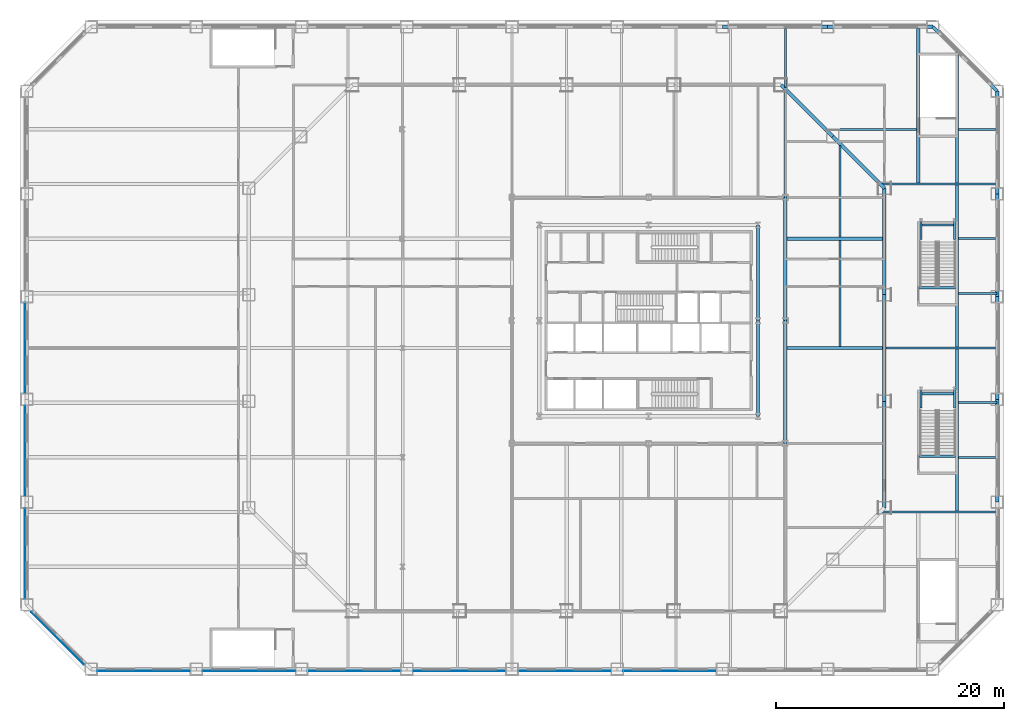
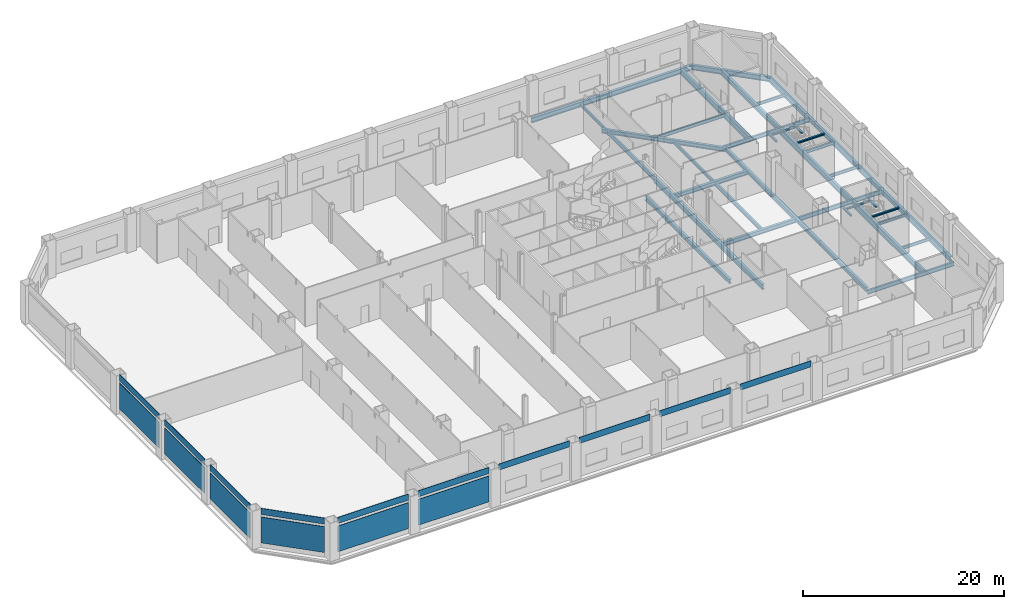
# One storey, part 7 of 22: 43 beams, 16 plates.
"""IFC4 building model written with IfcOpenShell, lengths in metres."""

from ifc_helpers import new_model, si_unit, direction, frame, origin, origin_2d, place, context, subcontext, project, spatial, rectangle, i_section, extrude, material, layer, layer_set, material_profile, profile_set, type_object, element, save


model = new_model("IFC4")

# Units and contexts
model_context = context("Model", 3, precision=1e-05, world=origin(), true_north=direction((0.0, 1.0)))
body_context = subcontext(model_context, "Body", "Model", "MODEL_VIEW")
ifc_project = project(units=[si_unit("LENGTHUNIT", "METRE"), si_unit("AREAUNIT", "SQUARE_METRE"), si_unit("VOLUMEUNIT", "CUBIC_METRE"), si_unit("PLANEANGLEUNIT", "RADIAN"), si_unit("MASSUNIT", "GRAM", prefix="KILO")], contexts=[model_context])

# Site, building, storey
site_placement = place(None, origin())
site = spatial("IfcSite", under=ifc_project, at=site_placement, CompositionType="ELEMENT")
building_placement = place(site_placement, origin())
building = spatial("IfcBuilding", under=site, at=building_placement, Name="Cairn Pilgrim Tower", CompositionType="ELEMENT")
storey_placement = place(building_placement, frame((0.0, 0.0, 35.39990234375)))
storey = spatial("IfcBuildingStorey", under=building, at=storey_placement, Name="L06", CompositionType="ELEMENT", Elevation=35.39990234375)

# Beams
ifc_material_1 = material(Name="Structural steel S355J2", Category="steel")
ifc_material_profile_1 = material_profile(ifc_material_1, i_section(OverallWidth=0.169921875, OverallDepth=0.360107421875, WebThickness=0.008056640625, FlangeThickness=0.0126953125, FilletRadius=0.01806640625, at=origin_2d()), Name="IPE 360")
ifc_profile_set_1 = profile_set([ifc_material_profile_1], Name="Structural steel S355J2")
beam_type_1 = type_object("IfcBeamType", Name="PODIUM BEAM IPE 360", PredefinedType="BEAM", material=ifc_profile_set_1)
beam_1_placement = place(storey_placement, frame((34.422119140625, -9.60009765625, -0.3798828125), z_axis=(1.0, 0.0, 0.0), x_axis=(0.0, 1.0, 0.0)))
element("IfcBeam", 1, at=beam_1_placement, inside=storey, type_object=beam_type_1, Name="PODIUM BEAM PB-IPE360", PredefinedType="BEAM", context=body_context, shape_type="SweptSolid", body=[
    extrude(i_section(OverallWidth=0.169921875, OverallDepth=0.360107421875, WebThickness=0.008056640625, FlangeThickness=0.0126953125, FilletRadius=0.01806640625, at=origin_2d()), origin(), (0.0, 0.0, 1.0), 3.225830078125),
])
for number, where, z_axis, x_axis, name in (
    (2, (34.422119140625, -4.800048828125, -0.3798828125), (1.0, 0.0, 0.0), (0.0, 1.0, 0.0), "PODIUM BEAM PB-IPE360"),
    (3, (34.422119140625, 4.800048828125, -0.3798828125), (1.0, 0.0, 0.0), (0.0, 1.0, 0.0), "PODIUM BEAM PB-IPE360"),
):
    element("IfcBeam", number, at=place(storey_placement, frame(where, z_axis=z_axis, x_axis=x_axis)), inside=storey, type_object=beam_type_1, Name=name, PredefinedType="BEAM", context=body_context, shape_type="SweptSolid", body=[
        extrude(i_section(OverallWidth=0.169921875, OverallDepth=0.360107421875, WebThickness=0.008056640625, FlangeThickness=0.0126953125, FilletRadius=0.01806640625, at=origin_2d()), origin(), (0.0, 0.0, 1.0), 3.3779296875),
    ])
for number, where, z_axis, x_axis, name in (
    (4, (34.422119140625, 9.60009765625, -0.3798828125), (1.0, 0.0, 0.0), (0.0, 1.0, 0.0), "PODIUM BEAM PB-IPE360"),
    (5, (34.422119140625, 19.199951171875, -0.3798828125), (1.0, 0.0, 0.0), (0.0, 1.0, 0.0), "PODIUM BEAM PB-IPE360"),
):
    element("IfcBeam", number, at=place(storey_placement, frame(where, z_axis=z_axis, x_axis=x_axis)), inside=storey, type_object=beam_type_1, Name=name, PredefinedType="BEAM", context=body_context, shape_type="SweptSolid", body=[
        extrude(i_section(OverallWidth=0.169921875, OverallDepth=0.360107421875, WebThickness=0.008056640625, FlangeThickness=0.0126953125, FilletRadius=0.01806640625, at=origin_2d()), origin(), (0.0, 0.0, 1.0), 3.225830078125),
    ])
beam_2_placement = place(storey_placement, frame((19.199951171875, 22.879150390625, -0.3798828125), z_axis=(0.0, 1.0, 0.0), x_axis=(-1.0, 0.0, 0.0)))
element("IfcBeam", 6, at=beam_2_placement, inside=storey, type_object=beam_type_1, Name="PODIUM BEAM PB-IPE360", PredefinedType="BEAM", context=body_context, shape_type="SweptSolid", body=[
    extrude(i_section(OverallWidth=0.169921875, OverallDepth=0.360107421875, WebThickness=0.008056640625, FlangeThickness=0.0126953125, FilletRadius=0.01806640625, at=origin_2d()), origin(), (0.0, 0.0, 1.0), 5.1689453125),
])
ifc_material_profile_2 = material_profile(ifc_material_1, i_section(OverallWidth=0.179931640625, OverallDepth=0.39990234375, WebThickness=0.008544921875, FlangeThickness=0.013427734375, FilletRadius=0.02099609375, at=origin_2d()), Name="IPE 400")
ifc_profile_set_2 = profile_set([ifc_material_profile_2], Name="Structural steel S355J2")
beam_type_2 = type_object("IfcBeamType", Name="PODIUM BEAM IPE 400", PredefinedType="BEAM", material=ifc_profile_set_2)
beam_3_placement = place(storey_placement, frame((24.0, 9.751953125, -0.39990234375), z_axis=(0.0, 1.0, 0.0), x_axis=(-1.0, 0.0, 0.0)))
element("IfcBeam", 7, at=beam_3_placement, inside=storey, type_object=beam_type_2, Name="PODIUM BEAM PB-IPE400", PredefinedType="BEAM", context=body_context, shape_type="SweptSolid", body=[
    extrude(i_section(OverallWidth=0.179931640625, OverallDepth=0.39990234375, WebThickness=0.008544921875, FlangeThickness=0.013427734375, FilletRadius=0.02099609375, at=origin_2d()), origin(), (0.0, 0.0, 1.0), 8.023193359375),
])
beam_4_placement = place(storey_placement, frame((22.879150390625, 19.199951171875, -0.39990234375), z_axis=(1.0, 0.0, 0.0), x_axis=(0.0, 1.0, 0.0)))
element("IfcBeam", 8, at=beam_4_placement, inside=storey, type_object=beam_type_2, Name="PODIUM BEAM PB-IPE400", PredefinedType="BEAM", context=body_context, shape_type="SweptSolid", body=[
    extrude(i_section(OverallWidth=0.179931640625, OverallDepth=0.39990234375, WebThickness=0.008544921875, FlangeThickness=0.013427734375, FilletRadius=0.02099609375, at=origin_2d()), origin(), (0.0, 0.0, 1.0), 7.848876953125),
])
ifc_material_profile_3 = material_profile(ifc_material_1, i_section(OverallWidth=0.199951171875, OverallDepth=0.5, WebThickness=0.01025390625, FlangeThickness=0.01611328125, FilletRadius=0.02099609375, at=origin_2d()), Name="IPE 500")
ifc_profile_set_3 = profile_set([ifc_material_profile_3], Name="Structural steel S355J2")
beam_type_3 = type_object("IfcBeamType", Name="PODIUM BEAM IPE 500", PredefinedType="BEAM", material=ifc_profile_set_3)
beam_5_placement = place(storey_placement, frame((19.199951171875, 13.199951171875, -0.449951171875), z_axis=(0.0, 1.0, 0.0), x_axis=(-1.0, 0.0, 0.0)))
element("IfcBeam", 9, at=beam_5_placement, inside=storey, type_object=beam_type_3, Name="PODIUM BEAM PB-IPE500", PredefinedType="BEAM", context=body_context, shape_type="SweptSolid", body=[
    extrude(i_section(OverallWidth=0.199951171875, OverallDepth=0.5, WebThickness=0.01025390625, FlangeThickness=0.01611328125, FilletRadius=0.02099609375, at=origin_2d()), origin(), (0.0, 0.0, 1.0), 9.375244140625),
])
beam_6_placement = place(storey_placement, frame((24.0, 0.152099609375, -0.449951171875), z_axis=(0.0, 1.0, 0.0), x_axis=(-1.0, 0.0, 0.0)))
element("IfcBeam", 10, at=beam_6_placement, inside=storey, type_object=beam_type_3, Name="PODIUM BEAM PB-IPE500", PredefinedType="BEAM", context=body_context, shape_type="SweptSolid", body=[
    extrude(i_section(OverallWidth=0.199951171875, OverallDepth=0.5, WebThickness=0.01025390625, FlangeThickness=0.01611328125, FilletRadius=0.02099609375, at=origin_2d()), origin(), (0.0, 0.0, 1.0), 9.2958984375),
])
beam_7_placement = place(storey_placement, frame((27.67919921875, -14.39990234375, -0.449951171875), z_axis=(1.0, 0.0, 0.0), x_axis=(0.0, 1.0, 0.0)))
element("IfcBeam", 11, at=beam_7_placement, inside=storey, type_object=beam_type_3, Name="PODIUM BEAM PB-IPE500", PredefinedType="BEAM", context=body_context, shape_type="SweptSolid", body=[
    extrude(i_section(OverallWidth=0.199951171875, OverallDepth=0.5, WebThickness=0.01025390625, FlangeThickness=0.01611328125, FilletRadius=0.02099609375, at=origin_2d()), origin(), (0.0, 0.0, 1.0), 9.96875),
])
beam_8_placement = place(storey_placement, frame((28.052001953125, 0.0, -0.449951171875), z_axis=(1.0, 0.0, 0.0), x_axis=(0.0, 1.0, 0.0)))
element("IfcBeam", 12, at=beam_8_placement, inside=storey, type_object=beam_type_3, Name="PODIUM BEAM PB-IPE500", PredefinedType="BEAM", context=body_context, shape_type="SweptSolid", body=[
    extrude(i_section(OverallWidth=0.199951171875, OverallDepth=0.5, WebThickness=0.01025390625, FlangeThickness=0.01611328125, FilletRadius=0.02099609375, at=origin_2d()), origin(), (0.0, 0.0, 1.0), 9.595947265625),
])
beam_9_placement = place(storey_placement, frame((27.67919921875, 14.39990234375, -0.449951171875), z_axis=(1.0, 0.0, 0.0), x_axis=(0.0, 1.0, 0.0)))
element("IfcBeam", 13, at=beam_9_placement, inside=storey, type_object=beam_type_3, Name="PODIUM BEAM PB-IPE500", PredefinedType="BEAM", context=body_context, shape_type="SweptSolid", body=[
    extrude(i_section(OverallWidth=0.199951171875, OverallDepth=0.5, WebThickness=0.01025390625, FlangeThickness=0.01611328125, FilletRadius=0.02099609375, at=origin_2d()), origin(), (0.0, 0.0, 1.0), 9.96875),
])
ifc_material_profile_4 = material_profile(ifc_material_1, i_section(OverallWidth=0.300048828125, OverallDepth=0.60009765625, WebThickness=0.015380859375, FlangeThickness=0.030029296875, FilletRadius=0.027099609375, at=origin_2d()), Name="HEB 600")
ifc_profile_set_4 = profile_set([ifc_material_profile_4], Name="Structural steel S355J2")
beam_type_4 = type_object("IfcBeamType", Name="PODIUM EDGE GIRDER HE 600 B", PredefinedType="BEAM", material=ifc_profile_set_4)
beam_10_placement = place(storey_placement, frame((37.800048828125, -13.531005859375, -0.5), z_axis=(0.0, 1.0, 0.0), x_axis=(-1.0, 0.0, 0.0)))
element("IfcBeam", 14, at=beam_10_placement, inside=storey, type_object=beam_type_4, Name="PODIUM EDGE GIRDER PE-HE600B", PredefinedType="BEAM", context=body_context, shape_type="SweptSolid", body=[
    extrude(i_section(OverallWidth=0.300048828125, OverallDepth=0.60009765625, WebThickness=0.015380859375, FlangeThickness=0.030029296875, FilletRadius=0.027099609375, at=origin_2d()), origin(), (0.0, 0.0, 1.0), 9.020751953125),
])
beam_11_placement = place(storey_placement, frame((37.800048828125, -4.51025390625, -0.5), z_axis=(0.0, 1.0, 0.0), x_axis=(-1.0, 0.0, 0.0)))
element("IfcBeam", 15, at=beam_11_placement, inside=storey, type_object=beam_type_4, Name="PODIUM EDGE GIRDER PE-HE600B", PredefinedType="BEAM", context=body_context, shape_type="SweptSolid", body=[
    extrude(i_section(OverallWidth=0.300048828125, OverallDepth=0.60009765625, WebThickness=0.015380859375, FlangeThickness=0.030029296875, FilletRadius=0.027099609375, at=origin_2d()), origin(), (0.0, 0.0, 1.0), 9.0205078125),
])
beam_12_placement = place(storey_placement, frame((37.800048828125, 4.51025390625, -0.5), z_axis=(0.0, 1.0, 0.0), x_axis=(-1.0, 0.0, 0.0)))
element("IfcBeam", 16, at=beam_12_placement, inside=storey, type_object=beam_type_4, Name="PODIUM EDGE GIRDER PE-HE600B", PredefinedType="BEAM", context=body_context, shape_type="SweptSolid", body=[
    extrude(i_section(OverallWidth=0.300048828125, OverallDepth=0.60009765625, WebThickness=0.015380859375, FlangeThickness=0.030029296875, FilletRadius=0.027099609375, at=origin_2d()), origin(), (0.0, 0.0, 1.0), 9.020751953125),
])
beam_13_placement = place(storey_placement, frame((37.800048828125, 13.531005859375, -0.5), z_axis=(0.0, 1.0, 0.0), x_axis=(-1.0, 0.0, 0.0)))
element("IfcBeam", 17, at=beam_13_placement, inside=storey, type_object=beam_type_4, Name="PODIUM EDGE GIRDER PE-HE600B", PredefinedType="BEAM", context=body_context, shape_type="SweptSolid", body=[
    extrude(i_section(OverallWidth=0.300048828125, OverallDepth=0.60009765625, WebThickness=0.015380859375, FlangeThickness=0.030029296875, FilletRadius=0.027099609375, at=origin_2d()), origin(), (0.0, 0.0, 1.0), 9.0205078125),
])
beam_14_placement = place(storey_placement, frame((37.800048828125, 22.551513671875, -0.5), z_axis=(-0.707106781187, 0.707106781187, 0.0), x_axis=(-0.707106781187, -0.707106781187, 0.0)))
element("IfcBeam", 18, at=beam_14_placement, inside=storey, type_object=beam_type_4, Name="PODIUM EDGE GIRDER PE-HE600B", PredefinedType="BEAM", context=body_context, shape_type="SweptSolid", body=[
    extrude(i_section(OverallWidth=0.300048828125, OverallDepth=0.60009765625, WebThickness=0.015380859375, FlangeThickness=0.030029296875, FilletRadius=0.027099609375, at=origin_2d()), origin(), (0.0, 0.0, 1.0), 7.988037109375),
])
beam_15_placement = place(storey_placement, frame((32.151611328125, 28.199951171875, -0.5), z_axis=(-1.0, 0.0, 0.0), x_axis=(0.0, -1.0, 0.0)))
element("IfcBeam", 19, at=beam_15_placement, inside=storey, type_object=beam_type_4, Name="PODIUM EDGE GIRDER PE-HE600B", PredefinedType="BEAM", context=body_context, shape_type="SweptSolid", body=[
    extrude(i_section(OverallWidth=0.300048828125, OverallDepth=0.60009765625, WebThickness=0.015380859375, FlangeThickness=0.030029296875, FilletRadius=0.027099609375, at=origin_2d()), origin(), (0.0, 0.0, 1.0), 9.238037109375),
])
beam_16_placement = place(storey_placement, frame((22.91357421875, 28.199951171875, -0.5), z_axis=(-1.0, 0.0, 0.0), x_axis=(0.0, -1.0, 0.0)))
element("IfcBeam", 20, at=beam_16_placement, inside=storey, type_object=beam_type_4, Name="PODIUM EDGE GIRDER PE-HE600B", PredefinedType="BEAM", context=body_context, shape_type="SweptSolid", body=[
    extrude(i_section(OverallWidth=0.300048828125, OverallDepth=0.60009765625, WebThickness=0.015380859375, FlangeThickness=0.030029296875, FilletRadius=0.027099609375, at=origin_2d()), origin(), (0.0, 0.0, 1.0), 9.23779296875),
])
ifc_material_profile_5 = material_profile(ifc_material_1, i_section(OverallWidth=0.300048828125, OverallDepth=0.5, WebThickness=0.014404296875, FlangeThickness=0.028076171875, FilletRadius=0.027099609375, at=origin_2d()), Name="HEB 500")
ifc_profile_set_5 = profile_set([ifc_material_profile_5], Name="Structural steel S355J2")
beam_type_5 = type_object("IfcBeamType", Name="PODIUM GIRDER HE 500 B", PredefinedType="BEAM", material=ifc_profile_set_5)
beam_17_placement = place(storey_placement, frame((27.89990234375, -14.027099609375, -0.449951171875), z_axis=(0.0, 1.0, 0.0), x_axis=(-1.0, 0.0, 0.0)))
element("IfcBeam", 21, at=beam_17_placement, inside=storey, type_object=beam_type_5, Name="PODIUM GIRDER PG-HE500B", PredefinedType="BEAM", context=body_context, shape_type="SweptSolid", body=[
    extrude(i_section(OverallWidth=0.300048828125, OverallDepth=0.5, WebThickness=0.014404296875, FlangeThickness=0.028076171875, FilletRadius=0.027099609375, at=origin_2d()), origin(), (0.0, 0.0, 1.0), 9.351318359375),
])
beam_18_placement = place(storey_placement, frame((27.89990234375, -4.67578125, -0.449951171875), z_axis=(0.0, 1.0, 0.0), x_axis=(-1.0, 0.0, 0.0)))
element("IfcBeam", 22, at=beam_18_placement, inside=storey, type_object=beam_type_5, Name="PODIUM GIRDER PG-HE500B", PredefinedType="BEAM", context=body_context, shape_type="SweptSolid", body=[
    extrude(i_section(OverallWidth=0.300048828125, OverallDepth=0.5, WebThickness=0.014404296875, FlangeThickness=0.028076171875, FilletRadius=0.027099609375, at=origin_2d()), origin(), (0.0, 0.0, 1.0), 9.3515625),
])
beam_19_placement = place(storey_placement, frame((27.89990234375, 4.67578125, -0.449951171875), z_axis=(0.0, 1.0, 0.0), x_axis=(-1.0, 0.0, 0.0)))
element("IfcBeam", 23, at=beam_19_placement, inside=storey, type_object=beam_type_5, Name="PODIUM GIRDER PG-HE500B", PredefinedType="BEAM", context=body_context, shape_type="SweptSolid", body=[
    extrude(i_section(OverallWidth=0.300048828125, OverallDepth=0.5, WebThickness=0.014404296875, FlangeThickness=0.028076171875, FilletRadius=0.027099609375, at=origin_2d()), origin(), (0.0, 0.0, 1.0), 9.351318359375),
])
for number, where, z_axis, x_axis, name in (
    (24, (27.89990234375, 14.027099609375, -0.449951171875), (-0.707087753759, 0.707125808102, 0.0), (-0.707125808102, -0.707087753759, 0.0), "PODIUM GIRDER PG-HE500B"),
    (25, (23.363525390625, 18.563720703125, -0.449951171875), (-0.707106781187, 0.707106781187, 0.0), (-0.707106781187, -0.707106781187, 0.0), "PODIUM GIRDER PG-HE500B"),
):
    element("IfcBeam", number, at=place(storey_placement, frame(where, z_axis=z_axis, x_axis=x_axis)), inside=storey, type_object=beam_type_5, Name=name, PredefinedType="BEAM", context=body_context, shape_type="SweptSolid", body=[
        extrude(i_section(OverallWidth=0.300048828125, OverallDepth=0.5, WebThickness=0.014404296875, FlangeThickness=0.028076171875, FilletRadius=0.027099609375, at=origin_2d()), origin(), (0.0, 0.0, 1.0), 6.41552734375),
    ])
beam_20_placement = place(storey_placement, frame((16.800048828125, -6.0, -0.449951171875), z_axis=(0.0, 1.0, 0.0), x_axis=(-1.0, 0.0, 0.0)))
element("IfcBeam", 26, at=beam_20_placement, inside=storey, type_object=beam_type_5, Name="PODIUM GIRDER PG-HE500B", PredefinedType="BEAM", context=body_context, shape_type="SweptSolid", body=[
    extrude(i_section(OverallWidth=0.300048828125, OverallDepth=0.5, WebThickness=0.014404296875, FlangeThickness=0.028076171875, FilletRadius=0.027099609375, at=origin_2d()), origin(), (0.0, 0.0, 1.0), 8.39990234375),
])
beam_21_placement = place(storey_placement, frame((16.800048828125, 2.39990234375, -0.449951171875), z_axis=(0.0, 1.0, 0.0), x_axis=(-1.0, 0.0, 0.0)))
element("IfcBeam", 27, at=beam_21_placement, inside=storey, type_object=beam_type_5, Name="PODIUM GIRDER PG-HE500B", PredefinedType="BEAM", context=body_context, shape_type="SweptSolid", body=[
    extrude(i_section(OverallWidth=0.300048828125, OverallDepth=0.5, WebThickness=0.014404296875, FlangeThickness=0.028076171875, FilletRadius=0.027099609375, at=origin_2d()), origin(), (0.0, 0.0, 1.0), 8.400146484375),
])
for number, where, z_axis, x_axis, name in (
    (28, (19.35205078125, 0.0, -0.449951171875), (1.0, 0.0, 0.0), (0.0, 1.0, 0.0), "PODIUM GIRDER PG-HE500B"),
    (29, (19.35205078125, 9.60009765625, -0.449951171875), (1.0, 0.0, 0.0), (0.0, 1.0, 0.0), "PODIUM GIRDER PG-HE500B"),
):
    element("IfcBeam", number, at=place(storey_placement, frame(where, z_axis=z_axis, x_axis=x_axis)), inside=storey, type_object=beam_type_5, Name=name, PredefinedType="BEAM", context=body_context, shape_type="SweptSolid", body=[
        extrude(i_section(OverallWidth=0.300048828125, OverallDepth=0.5, WebThickness=0.014404296875, FlangeThickness=0.028076171875, FilletRadius=0.027099609375, at=origin_2d()), origin(), (0.0, 0.0, 1.0), 8.39599609375),
    ])
ifc_material_profile_6 = material_profile(ifc_material_1, i_section(OverallWidth=0.300048828125, OverallDepth=0.60009765625, WebThickness=0.015380859375, FlangeThickness=0.030029296875, FilletRadius=0.027099609375, at=origin_2d()), Name="HEB 600")
ifc_profile_set_6 = profile_set([ifc_material_profile_6], Name="Structural steel S355J2")
beam_type_6 = type_object("IfcBeamType", Name="PODIUM GIRDER HE 600 B", PredefinedType="BEAM", material=ifc_profile_set_6)
beam_22_placement = place(storey_placement, frame((19.199951171875, -8.39990234375, -0.5), z_axis=(0.0, 1.0, 0.0), x_axis=(-1.0, 0.0, 0.0)))
element("IfcBeam", 30, at=beam_22_placement, inside=storey, type_object=beam_type_6, Name="PODIUM GIRDER PG-HE600B", PredefinedType="BEAM", context=body_context, shape_type="SweptSolid", body=[
    extrude(i_section(OverallWidth=0.300048828125, OverallDepth=0.60009765625, WebThickness=0.015380859375, FlangeThickness=0.030029296875, FilletRadius=0.027099609375, at=origin_2d()), origin(), (0.0, 0.0, 1.0), 10.7998046875),
])
beam_23_placement = place(storey_placement, frame((19.199951171875, 2.39990234375, -0.5), z_axis=(0.0, 1.0, 0.0), x_axis=(-1.0, 0.0, 0.0)))
element("IfcBeam", 31, at=beam_23_placement, inside=storey, type_object=beam_type_6, Name="PODIUM GIRDER PG-HE600B", PredefinedType="BEAM", context=body_context, shape_type="SweptSolid", body=[
    extrude(i_section(OverallWidth=0.300048828125, OverallDepth=0.60009765625, WebThickness=0.015380859375, FlangeThickness=0.030029296875, FilletRadius=0.027099609375, at=origin_2d()), origin(), (0.0, 0.0, 1.0), 10.800048828125),
])
beam_24_placement = place(storey_placement, frame((34.27001953125, 14.501953125, -0.5), z_axis=(0.0, 1.0, 0.0), x_axis=(-1.0, 0.0, 0.0)))
element("IfcBeam", 32, at=beam_24_placement, inside=storey, type_object=beam_type_6, Name="PODIUM GIRDER PG-HE600B", PredefinedType="BEAM", context=body_context, shape_type="SweptSolid", body=[
    extrude(i_section(OverallWidth=0.300048828125, OverallDepth=0.60009765625, WebThickness=0.015380859375, FlangeThickness=0.030029296875, FilletRadius=0.027099609375, at=origin_2d()), origin(), (0.0, 0.0, 1.0), 11.427490234375),
])
ifc_material_profile_7 = material_profile(ifc_material_1, i_section(OverallWidth=0.300048828125, OverallDepth=0.699951171875, WebThickness=0.01708984375, FlangeThickness=0.031982421875, FilletRadius=0.027099609375, at=origin_2d()), Name="HEB 700")
ifc_profile_set_7 = profile_set([ifc_material_profile_7], Name="Structural steel S355J2")
beam_type_7 = type_object("IfcBeamType", Name="PODIUM GIRDER HE 700 B", PredefinedType="BEAM", material=ifc_profile_set_7)
for number, where, z_axis, x_axis, name in (
    (33, (34.27001953125, -14.298095703125, -0.5498046875), (0.0, 1.0, 0.0), (-1.0, 0.0, 0.0), "PODIUM GIRDER PG-HE700B"),
    (34, (34.27001953125, 0.10205078125, -0.5498046875), (0.0, 1.0, 0.0), (-1.0, 0.0, 0.0), "PODIUM GIRDER PG-HE700B"),
):
    element("IfcBeam", number, at=place(storey_placement, frame(where, z_axis=z_axis, x_axis=x_axis)), inside=storey, type_object=beam_type_7, Name=name, PredefinedType="BEAM", context=body_context, shape_type="SweptSolid", body=[
        extrude(i_section(OverallWidth=0.300048828125, OverallDepth=0.699951171875, WebThickness=0.01708984375, FlangeThickness=0.031982421875, FilletRadius=0.027099609375, at=origin_2d()), origin(), (0.0, 0.0, 1.0), 14.196044921875),
    ])
beam_25_placement = place(storey_placement, frame((30.8798828125, 14.501953125, -0.5498046875), z_axis=(0.0, 1.0, 0.0), x_axis=(-1.0, 0.0, 0.0)))
element("IfcBeam", 35, at=beam_25_placement, inside=storey, type_object=beam_type_7, Name="PODIUM GIRDER PG-HE700B", PredefinedType="BEAM", context=body_context, shape_type="SweptSolid", body=[
    extrude(i_section(OverallWidth=0.300048828125, OverallDepth=0.699951171875, WebThickness=0.01708984375, FlangeThickness=0.031982421875, FilletRadius=0.027099609375, at=origin_2d()), origin(), (0.0, 0.0, 1.0), 13.546142578125),
])
ifc_material_profile_8 = material_profile(ifc_material_1, i_section(OverallWidth=0.199951171875, OverallDepth=0.199951171875, WebThickness=0.009033203125, FlangeThickness=0.014892578125, FilletRadius=0.01806640625, at=origin_2d()), Name="HE 200 B")
ifc_profile_set_8 = profile_set([ifc_material_profile_8], Name="Structural steel S355J2")
beam_type_8 = type_object("IfcBeamType", Name="STAIR LANDING BEAM HE 200 B", PredefinedType="BEAM", material=ifc_profile_set_8)
for number, where, z_axis, x_axis, name in (
    (36, (31.10498046875, -3.659912109375, 2.10009765625), (0.0, -1.0, 0.0), (1.0, 0.0, 0.0), "STAIR LANDING BEAM LD-HE200B"),
    (37, (34.044921875, -3.659912109375, 2.10009765625), (0.0, -1.0, 0.0), (1.0, 0.0, 0.0), "STAIR LANDING BEAM LD-HE200B"),
):
    element("IfcBeam", number, at=place(storey_placement, frame(where, z_axis=z_axis, x_axis=x_axis)), inside=storey, type_object=beam_type_8, Name=name, PredefinedType="BEAM", context=body_context, shape_type="SweptSolid", body=[
        extrude(i_section(OverallWidth=0.199951171875, OverallDepth=0.199951171875, WebThickness=0.009033203125, FlangeThickness=0.014892578125, FilletRadius=0.01806640625, at=origin_2d()), origin(), (0.0, 0.0, 1.0), 1.625),
    ])
beam_26_placement = place(storey_placement, frame((31.205078125, -4.0048828125, 2.10009765625), z_axis=(1.0, 0.0, 0.0), x_axis=(0.0, 1.0, 0.0)))
element("IfcBeam", 38, at=beam_26_placement, inside=storey, type_object=beam_type_8, Name="STAIR LANDING BEAM LD-HE200B", PredefinedType="BEAM", context=body_context, shape_type="SweptSolid", body=[
    extrude(i_section(OverallWidth=0.199951171875, OverallDepth=0.199951171875, WebThickness=0.009033203125, FlangeThickness=0.014892578125, FilletRadius=0.01806640625, at=origin_2d()), origin(), (0.0, 0.0, 1.0), 2.739990234375),
])
for number, where, z_axis, x_axis, name in (
    (39, (31.10498046875, 11.139892578125, 2.10009765625), (0.0, -1.0, 0.0), (1.0, 0.0, 0.0), "STAIR LANDING BEAM LD-HE200B"),
    (40, (34.044921875, 11.139892578125, 2.10009765625), (0.0, -1.0, 0.0), (1.0, 0.0, 0.0), "STAIR LANDING BEAM LD-HE200B"),
):
    element("IfcBeam", number, at=place(storey_placement, frame(where, z_axis=z_axis, x_axis=x_axis)), inside=storey, type_object=beam_type_8, Name=name, PredefinedType="BEAM", context=body_context, shape_type="SweptSolid", body=[
        extrude(i_section(OverallWidth=0.199951171875, OverallDepth=0.199951171875, WebThickness=0.009033203125, FlangeThickness=0.014892578125, FilletRadius=0.01806640625, at=origin_2d()), origin(), (0.0, 0.0, 1.0), 1.625),
    ])
beam_27_placement = place(storey_placement, frame((31.205078125, 10.794921875, 2.10009765625), z_axis=(1.0, 0.0, 0.0), x_axis=(0.0, 1.0, 0.0)))
element("IfcBeam", 41, at=beam_27_placement, inside=storey, type_object=beam_type_8, Name="STAIR LANDING BEAM LD-HE200B", PredefinedType="BEAM", context=body_context, shape_type="SweptSolid", body=[
    extrude(i_section(OverallWidth=0.199951171875, OverallDepth=0.199951171875, WebThickness=0.009033203125, FlangeThickness=0.014892578125, FilletRadius=0.01806640625, at=origin_2d()), origin(), (0.0, 0.0, 1.0), 2.739990234375),
])
for number, where, z_axis, x_axis, name in (
    (42, (31.0, -9.49951171875, 4.550048828125), (1.0, 0.0, 0.0), (0.0, 1.0, 0.0), "STAIR LANDING BEAM LD-HE200B"),
    (43, (31.0, 5.300537109375, 4.550048828125), (1.0, 0.0, 0.0), (0.0, 1.0, 0.0), "STAIR LANDING BEAM LD-HE200B"),
):
    element("IfcBeam", number, at=place(storey_placement, frame(where, z_axis=z_axis, x_axis=x_axis)), inside=storey, type_object=beam_type_8, Name=name, PredefinedType="BEAM", context=body_context, shape_type="SweptSolid", body=[
        extrude(i_section(OverallWidth=0.199951171875, OverallDepth=0.199951171875, WebThickness=0.009033203125, FlangeThickness=0.014892578125, FilletRadius=0.01806640625, at=origin_2d()), origin(), (0.0, 0.0, 1.0), 3.14990234375),
    ])

# Plates
ifc_material_2 = material(Name="Bronze anodised aluminium", Category="aluminium")
ifc_layer_1 = layer(ifc_material_2, 0.050048828125)
ifc_layer_set_1 = layer_set([ifc_layer_1], Name="BRONZE FASCIA PANEL 50")
plate_type_1 = type_object("IfcPlateType", Name="BRONZE FASCIA PANEL 50", PredefinedType="SHEET", material=ifc_layer_set_1)
for number, where, z_axis, x_axis, name in (
    (44, (-37.132568359375, -28.375, 4.050048828125), (0.0, 0.0, 1.0), (1.0, 0.0, 0.0), "FASCIA"),
    (45, (-27.894775390625, -28.375, 4.050048828125), (0.0, 0.0, 1.0), (1.0, 0.0, 0.0), "FASCIA"),
    (46, (-18.65673828125, -28.375, 4.050048828125), (0.0, 0.0, 1.0), (1.0, 0.0, 0.0), "FASCIA"),
    (47, (-9.4189453125, -28.375, 4.050048828125), (0.0, 0.0, 1.0), (1.0, 0.0, 0.0), "FASCIA"),
    (48, (-0.18115234375, -28.375, 4.050048828125), (0.0, 0.0, 1.0), (1.0, 0.0, 0.0), "FASCIA"),
    (49, (9.056884765625, -28.375, 4.050048828125), (0.0, 0.0, 1.0), (1.0, 0.0, 0.0), "FASCIA"),
):
    element("IfcPlate", number, at=place(storey_placement, frame(where, z_axis=z_axis, x_axis=x_axis)), inside=storey, type_object=plate_type_1, Name=name, PredefinedType="SHEET", context=body_context, shape_type="SweptSolid", body=[
        extrude(rectangle(XDim=8.137939453125, YDim=0.050048828125, at=origin_2d()), origin(), (0.0, 0.0, 1.0), 0.75),
    ])
for number, where, z_axis, x_axis, name in (
    (50, (-47.574951171875, 0.0, 4.050048828125), (0.0, 0.0, 1.0), (0.0, -1.0, 0.0), "FASCIA"),
    (51, (-47.574951171875, -9.0205078125, 4.050048828125), (0.0, 0.0, 1.0), (0.0, -1.0, 0.0), "FASCIA"),
    (52, (-47.574951171875, -18.041259765625, 4.050048828125), (0.0, 0.0, 1.0), (0.0, -1.0, 0.0), "FASCIA"),
):
    element("IfcPlate", number, at=place(storey_placement, frame(where, z_axis=z_axis, x_axis=x_axis)), inside=storey, type_object=plate_type_1, Name=name, PredefinedType="SHEET", context=body_context, shape_type="SweptSolid", body=[
        extrude(rectangle(XDim=7.920654296875, YDim=0.050048828125, at=origin_2d()), origin(), (0.0, 0.0, 1.0), 0.75),
    ])
plate_1_placement = place(storey_placement, frame((-44.699462890625, -25.49951171875, 4.050048828125), z_axis=(0.0, 0.0, 1.0), x_axis=(0.707106781187, -0.707106781187, 0.0)))
element("IfcPlate", 53, at=plate_1_placement, inside=storey, type_object=plate_type_1, Name="FASCIA", PredefinedType="SHEET", context=body_context, shape_type="SweptSolid", body=[
    extrude(rectangle(XDim=6.50830078125, YDim=0.050048828125, at=origin_2d()), origin(), (0.0, 0.0, 1.0), 0.75),
])
ifc_material_3 = material(Name="Perforated bronze anodised aluminium", Category="aluminium")
ifc_layer_2 = layer(ifc_material_3, 0.050048828125)
ifc_layer_set_2 = layer_set([ifc_layer_2], Name="COBOGO SCREEN 50 BRONZE")
plate_type_2 = type_object("IfcPlateType", Name="COBOGO SCREEN 50 BRONZE", PredefinedType="SHEET", material=ifc_layer_set_2)
for number, where, z_axis, x_axis, name in (
    (54, (-37.132568359375, -28.375, 0.60009765625), (0.0, 0.0, 1.0), (1.0, 0.0, 0.0), "SCREEN"),
    (55, (-27.894775390625, -28.375, 0.60009765625), (0.0, 0.0, 1.0), (1.0, 0.0, 0.0), "SCREEN"),
):
    element("IfcPlate", number, at=place(storey_placement, frame(where, z_axis=z_axis, x_axis=x_axis)), inside=storey, type_object=plate_type_2, Name=name, PredefinedType="SHEET", context=body_context, shape_type="SweptSolid", body=[
        extrude(rectangle(XDim=8.137939453125, YDim=0.050048828125, at=origin_2d()), origin(), (0.0, 0.0, 1.0), 3.14990234375),
    ])
for number, where, z_axis, x_axis, name in (
    (56, (-47.574951171875, 0.0, 0.60009765625), (0.0, 0.0, 1.0), (0.0, -1.0, 0.0), "SCREEN"),
    (57, (-47.574951171875, -9.0205078125, 0.60009765625), (0.0, 0.0, 1.0), (0.0, -1.0, 0.0), "SCREEN"),
    (58, (-47.574951171875, -18.041259765625, 0.60009765625), (0.0, 0.0, 1.0), (0.0, -1.0, 0.0), "SCREEN"),
):
    element("IfcPlate", number, at=place(storey_placement, frame(where, z_axis=z_axis, x_axis=x_axis)), inside=storey, type_object=plate_type_2, Name=name, PredefinedType="SHEET", context=body_context, shape_type="SweptSolid", body=[
        extrude(rectangle(XDim=7.920654296875, YDim=0.050048828125, at=origin_2d()), origin(), (0.0, 0.0, 1.0), 3.14990234375),
    ])
plate_2_placement = place(storey_placement, frame((-44.699462890625, -25.49951171875, 0.60009765625), z_axis=(0.0, 0.0, 1.0), x_axis=(0.707106781187, -0.707106781187, 0.0)))
element("IfcPlate", 59, at=plate_2_placement, inside=storey, type_object=plate_type_2, Name="SCREEN", PredefinedType="SHEET", context=body_context, shape_type="SweptSolid", body=[
    extrude(rectangle(XDim=6.50830078125, YDim=0.050048828125, at=origin_2d()), origin(), (0.0, 0.0, 1.0), 3.14990234375),
])

save(model, "model.ifc")
